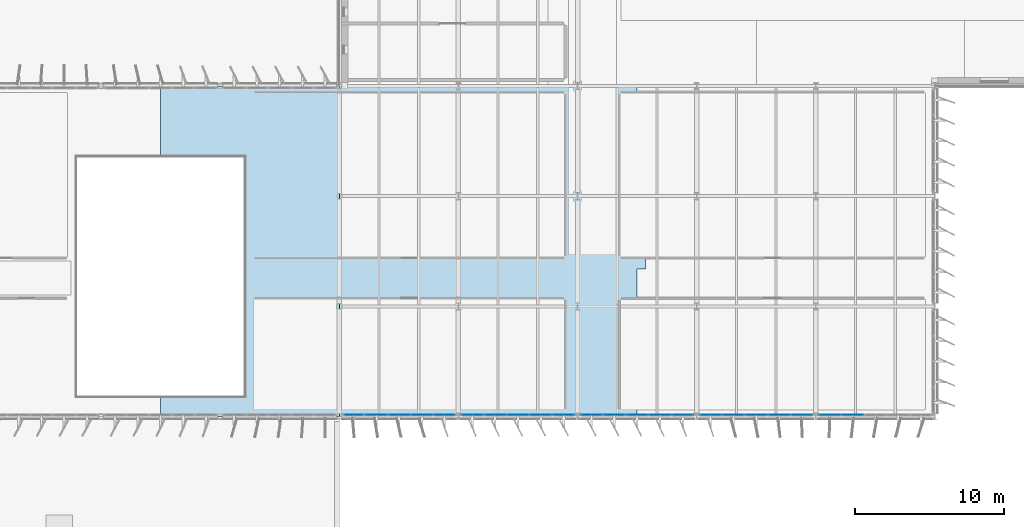
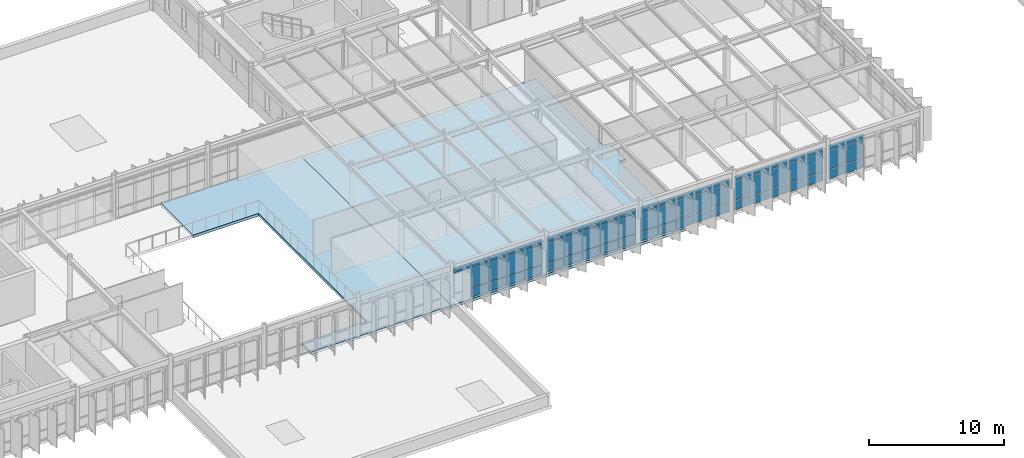
# One storey, part 32 of 56: 64 plates, 2 slabs, 5 elements without a shape of their own.
"""IFC4 building model written with IfcOpenShell, lengths in metres."""

from ifc_helpers import new_model, si_unit, direction, frame, origin, origin_2d, place, context, subcontext, project, spatial, polyline, rectangle, outline, extrude, material, layer, layer_set, type_object, element, aggregate, save


model = new_model("IFC4")

# Units and contexts
model_context = context("Model", 3, precision=1e-05, world=origin(), true_north=direction((0.0, 1.0)))
body_context = subcontext(model_context, "Body", "Model", "MODEL_VIEW")
ifc_project = project(units=[si_unit("LENGTHUNIT", "METRE"), si_unit("AREAUNIT", "SQUARE_METRE"), si_unit("VOLUMEUNIT", "CUBIC_METRE"), si_unit("PLANEANGLEUNIT", "RADIAN"), si_unit("MASSUNIT", "GRAM", prefix="KILO")], contexts=[model_context])

# Site, building, storey
site_placement = place(None, origin())
site = spatial("IfcSite", under=ifc_project, at=site_placement, CompositionType="ELEMENT")
building_placement = place(site_placement, origin())
building = spatial("IfcBuilding", under=site, at=building_placement, Name="Valkorina Park Police Headquarters", CompositionType="ELEMENT")
storey_placement = place(building_placement, frame((0.0, 0.0, 14.10009765625)))
storey = spatial("IfcBuildingStorey", under=building, at=storey_placement, Name="L04", CompositionType="ELEMENT", Elevation=14.10009765625)

# Curtain wall, plates
ifc_material_1 = material(Name="Thermally broken aluminium AW-6060", Category="aluminium")
ifc_layer_1 = layer(ifc_material_1, 0.18994140625)
ifc_layer_set_1 = layer_set([ifc_layer_1], Name="Thermally broken aluminium AW-6060")
curtain_wall_type_1 = type_object("IfcCurtainWallType", Name="CW-V5-7680x3170", PredefinedType="NOTDEFINED", material=ifc_layer_set_1)
curtain_wall_1_placement = place(storey_placement, origin())
curtain_wall_1 = element("IfcCurtainWall", 1, at=curtain_wall_1_placement, inside=storey, type_object=curtain_wall_type_1, Name="L04 Unitised Curtain Wall 043", PredefinedType="NOTDEFINED")
ifc_layer_2 = layer(ifc_material_1, 0.050048828125)
ifc_layer_set_2 = layer_set([ifc_layer_2], Name="Thermally broken aluminium AW-6060")
plate_type_1 = type_object("IfcPlateType", Name="PL-CWP-SPANDREL-50", PredefinedType="CURTAIN_PANEL", material=ifc_layer_set_2)
plate_1_placement = place(storey_placement, frame((115.263916015625, 37.1201171875, 0.06982421875), z_axis=(0.0, 0.0, 1.0), x_axis=(-1.0, 0.0, 0.0)))
plate_1 = element("IfcPlate", 2, at=plate_1_placement, type_object=plate_type_1, Name="CW-V5-768-317 panel 4.1", PredefinedType="CURTAIN_PANEL", context=body_context, shape_type="SweptSolid", body=[
    extrude(rectangle(XDim=1.466064453125, YDim=0.028076171875, at=origin_2d()), origin(), (0.0, 0.0, 1.0), 0.794921875),
])
plate_2_placement = place(storey_placement, frame((113.74560546875, 37.1201171875, 0.06982421875), z_axis=(0.0, 0.0, 1.0), x_axis=(-1.0, 0.0, 0.0)))
plate_2 = element("IfcPlate", 3, at=plate_2_placement, type_object=plate_type_1, Name="CW-V5-768-317 panel 5.1", PredefinedType="CURTAIN_PANEL", context=body_context, shape_type="SweptSolid", body=[
    extrude(rectangle(XDim=1.430908203125, YDim=0.028076171875, at=origin_2d()), origin(), (0.0, 0.0, 1.0), 0.794921875),
])

curtain_wall_2_placement = place(storey_placement, origin())
curtain_wall_2 = element("IfcCurtainWall", 4, at=curtain_wall_2_placement, inside=storey, type_object=curtain_wall_type_1, Name="L04 Unitised Curtain Wall 044", PredefinedType="NOTDEFINED")
plate_3_placement = place(storey_placement, frame((111.8544921875, 37.1201171875, 0.06982421875), z_axis=(0.0, 0.0, 1.0), x_axis=(-1.0, 0.0, 0.0)))
plate_3 = element("IfcPlate", 5, at=plate_3_placement, type_object=plate_type_1, Name="CW-V5-768-317 panel 1.1", PredefinedType="CURTAIN_PANEL", context=body_context, shape_type="SweptSolid", body=[
    extrude(rectangle(XDim=1.430908203125, YDim=0.028076171875, at=origin_2d()), origin(), (0.0, 0.0, 1.0), 0.794921875),
])
plate_4_placement = place(storey_placement, frame((110.3359375, 37.1201171875, 0.06982421875), z_axis=(0.0, 0.0, 1.0), x_axis=(-1.0, 0.0, 0.0)))
plate_4 = element("IfcPlate", 6, at=plate_4_placement, type_object=plate_type_1, Name="CW-V5-768-317 panel 2.1", PredefinedType="CURTAIN_PANEL", context=body_context, shape_type="SweptSolid", body=[
    extrude(rectangle(XDim=1.466064453125, YDim=0.028076171875, at=origin_2d()), origin(), (0.0, 0.0, 1.0), 0.794921875),
])
plate_5_placement = place(storey_placement, frame((108.800048828125, 37.1201171875, 0.06982421875), z_axis=(0.0, 0.0, 1.0), x_axis=(-1.0, 0.0, 0.0)))
plate_5 = element("IfcPlate", 7, at=plate_5_placement, type_object=plate_type_1, Name="CW-V5-768-317 panel 3.1", PredefinedType="CURTAIN_PANEL", context=body_context, shape_type="SweptSolid", body=[
    extrude(rectangle(XDim=1.466064453125, YDim=0.028076171875, at=origin_2d()), origin(), (0.0, 0.0, 1.0), 0.794921875),
])
plate_6_placement = place(storey_placement, frame((107.263916015625, 37.1201171875, 0.06982421875), z_axis=(0.0, 0.0, 1.0), x_axis=(-1.0, 0.0, 0.0)))
plate_6 = element("IfcPlate", 8, at=plate_6_placement, type_object=plate_type_1, Name="CW-V5-768-317 panel 4.1", PredefinedType="CURTAIN_PANEL", context=body_context, shape_type="SweptSolid", body=[
    extrude(rectangle(XDim=1.466064453125, YDim=0.028076171875, at=origin_2d()), origin(), (0.0, 0.0, 1.0), 0.794921875),
])
plate_7_placement = place(storey_placement, frame((105.74560546875, 37.1201171875, 0.06982421875), z_axis=(0.0, 0.0, 1.0), x_axis=(-1.0, 0.0, 0.0)))
plate_7 = element("IfcPlate", 9, at=plate_7_placement, type_object=plate_type_1, Name="CW-V5-768-317 panel 5.1", PredefinedType="CURTAIN_PANEL", context=body_context, shape_type="SweptSolid", body=[
    extrude(rectangle(XDim=1.430908203125, YDim=0.028076171875, at=origin_2d()), origin(), (0.0, 0.0, 1.0), 0.794921875),
])

curtain_wall_3_placement = place(storey_placement, origin())
curtain_wall_3 = element("IfcCurtainWall", 10, at=curtain_wall_3_placement, inside=storey, type_object=curtain_wall_type_1, Name="L04 Unitised Curtain Wall 045", PredefinedType="NOTDEFINED")
plate_8_placement = place(storey_placement, frame((103.8544921875, 37.1201171875, 0.06982421875), z_axis=(0.0, 0.0, 1.0), x_axis=(-1.0, 0.0, 0.0)))
plate_8 = element("IfcPlate", 11, at=plate_8_placement, type_object=plate_type_1, Name="CW-V5-768-317 panel 1.1", PredefinedType="CURTAIN_PANEL", context=body_context, shape_type="SweptSolid", body=[
    extrude(rectangle(XDim=1.430908203125, YDim=0.028076171875, at=origin_2d()), origin(), (0.0, 0.0, 1.0), 0.794921875),
])
plate_9_placement = place(storey_placement, frame((102.3359375, 37.1201171875, 0.06982421875), z_axis=(0.0, 0.0, 1.0), x_axis=(-1.0, 0.0, 0.0)))
plate_9 = element("IfcPlate", 12, at=plate_9_placement, type_object=plate_type_1, Name="CW-V5-768-317 panel 2.1", PredefinedType="CURTAIN_PANEL", context=body_context, shape_type="SweptSolid", body=[
    extrude(rectangle(XDim=1.466064453125, YDim=0.028076171875, at=origin_2d()), origin(), (0.0, 0.0, 1.0), 0.794921875),
])
plate_10_placement = place(storey_placement, frame((100.800048828125, 37.1201171875, 0.06982421875), z_axis=(0.0, 0.0, 1.0), x_axis=(-1.0, 0.0, 0.0)))
plate_10 = element("IfcPlate", 13, at=plate_10_placement, type_object=plate_type_1, Name="CW-V5-768-317 panel 3.1", PredefinedType="CURTAIN_PANEL", context=body_context, shape_type="SweptSolid", body=[
    extrude(rectangle(XDim=1.466064453125, YDim=0.028076171875, at=origin_2d()), origin(), (0.0, 0.0, 1.0), 0.794921875),
])
plate_11_placement = place(storey_placement, frame((99.263916015625, 37.1201171875, 0.06982421875), z_axis=(0.0, 0.0, 1.0), x_axis=(-1.0, 0.0, 0.0)))
plate_11 = element("IfcPlate", 14, at=plate_11_placement, type_object=plate_type_1, Name="CW-V5-768-317 panel 4.1", PredefinedType="CURTAIN_PANEL", context=body_context, shape_type="SweptSolid", body=[
    extrude(rectangle(XDim=1.466064453125, YDim=0.028076171875, at=origin_2d()), origin(), (0.0, 0.0, 1.0), 0.794921875),
])
plate_12_placement = place(storey_placement, frame((97.74560546875, 37.1201171875, 0.06982421875), z_axis=(0.0, 0.0, 1.0), x_axis=(-1.0, 0.0, 0.0)))
plate_12 = element("IfcPlate", 15, at=plate_12_placement, type_object=plate_type_1, Name="CW-V5-768-317 panel 5.1", PredefinedType="CURTAIN_PANEL", context=body_context, shape_type="SweptSolid", body=[
    extrude(rectangle(XDim=1.430908203125, YDim=0.028076171875, at=origin_2d()), origin(), (0.0, 0.0, 1.0), 0.794921875),
])

ifc_layer_3 = layer(ifc_material_1, 0.18994140625)
ifc_layer_set_3 = layer_set([ifc_layer_3], Name="Thermally broken aluminium AW-6060")
curtain_wall_type_2 = type_object("IfcCurtainWallType", Name="CW-V5-7680x3260", PredefinedType="NOTDEFINED", material=ifc_layer_set_3)
curtain_wall_4_placement = place(storey_placement, origin())
curtain_wall_4 = element("IfcCurtainWall", 16, at=curtain_wall_4_placement, inside=storey, type_object=curtain_wall_type_2, Name="L04 Unitised Curtain Wall 046", PredefinedType="NOTDEFINED")
plate_13_placement = place(storey_placement, frame((95.8544921875, 37.1201171875, 0.06982421875), z_axis=(0.0, 0.0, 1.0), x_axis=(-1.0, 0.0, 0.0)))
plate_13 = element("IfcPlate", 17, at=plate_13_placement, type_object=plate_type_1, Name="CW-V5-768-326 panel 1.1", PredefinedType="CURTAIN_PANEL", context=body_context, shape_type="SweptSolid", body=[
    extrude(rectangle(XDim=1.430908203125, YDim=0.028076171875, at=origin_2d()), origin(), (0.0, 0.0, 1.0), 0.794921875),
])
plate_14_placement = place(storey_placement, frame((94.3359375, 37.1201171875, 0.06982421875), z_axis=(0.0, 0.0, 1.0), x_axis=(-1.0, 0.0, 0.0)))
plate_14 = element("IfcPlate", 18, at=plate_14_placement, type_object=plate_type_1, Name="CW-V5-768-326 panel 2.1", PredefinedType="CURTAIN_PANEL", context=body_context, shape_type="SweptSolid", body=[
    extrude(rectangle(XDim=1.466064453125, YDim=0.028076171875, at=origin_2d()), origin(), (0.0, 0.0, 1.0), 0.794921875),
])
plate_15_placement = place(storey_placement, frame((92.800048828125, 37.1201171875, 0.06982421875), z_axis=(0.0, 0.0, 1.0), x_axis=(-1.0, 0.0, 0.0)))
plate_15 = element("IfcPlate", 19, at=plate_15_placement, type_object=plate_type_1, Name="CW-V5-768-326 panel 3.1", PredefinedType="CURTAIN_PANEL", context=body_context, shape_type="SweptSolid", body=[
    extrude(rectangle(XDim=1.466064453125, YDim=0.028076171875, at=origin_2d()), origin(), (0.0, 0.0, 1.0), 0.794921875),
])
plate_16_placement = place(storey_placement, frame((91.263916015625, 37.1201171875, 0.06982421875), z_axis=(0.0, 0.0, 1.0), x_axis=(-1.0, 0.0, 0.0)))
plate_16 = element("IfcPlate", 20, at=plate_16_placement, type_object=plate_type_1, Name="CW-V5-768-326 panel 4.1", PredefinedType="CURTAIN_PANEL", context=body_context, shape_type="SweptSolid", body=[
    extrude(rectangle(XDim=1.466064453125, YDim=0.028076171875, at=origin_2d()), origin(), (0.0, 0.0, 1.0), 0.794921875),
])
plate_17_placement = place(storey_placement, frame((89.74560546875, 37.1201171875, 0.06982421875), z_axis=(0.0, 0.0, 1.0), x_axis=(-1.0, 0.0, 0.0)))
plate_17 = element("IfcPlate", 21, at=plate_17_placement, type_object=plate_type_1, Name="CW-V5-768-326 panel 5.1", PredefinedType="CURTAIN_PANEL", context=body_context, shape_type="SweptSolid", body=[
    extrude(rectangle(XDim=1.430908203125, YDim=0.028076171875, at=origin_2d()), origin(), (0.0, 0.0, 1.0), 0.794921875),
])

ifc_layer_4 = layer(ifc_material_1, 0.18994140625)
ifc_layer_set_4 = layer_set([ifc_layer_4], Name="Thermally broken aluminium AW-6060")
curtain_wall_type_3 = type_object("IfcCurtainWallType", Name="CW-V5-7650x3260", PredefinedType="NOTDEFINED", material=ifc_layer_set_4)
curtain_wall_5_placement = place(storey_placement, origin())
curtain_wall_5 = element("IfcCurtainWall", 22, at=curtain_wall_5_placement, inside=storey, type_object=curtain_wall_type_3, Name="L04 Unitised Curtain Wall 047", PredefinedType="NOTDEFINED")
plate_18_placement = place(storey_placement, frame((87.857177734375, 37.1201171875, 0.06982421875), z_axis=(0.0, 0.0, 1.0), x_axis=(-1.0, 0.0, 0.0)))
plate_18 = element("IfcPlate", 23, at=plate_18_placement, type_object=plate_type_1, Name="CW-V5-765-326 panel 1.1", PredefinedType="CURTAIN_PANEL", context=body_context, shape_type="SweptSolid", body=[
    extrude(rectangle(XDim=1.425537109375, YDim=0.028076171875, at=origin_2d()), origin(), (0.0, 0.0, 1.0), 0.794921875),
])
plate_19_placement = place(storey_placement, frame((86.34423828125, 37.1201171875, 0.06982421875), z_axis=(0.0, 0.0, 1.0), x_axis=(-1.0, 0.0, 0.0)))
plate_19 = element("IfcPlate", 24, at=plate_19_placement, type_object=plate_type_1, Name="CW-V5-765-326 panel 2.1", PredefinedType="CURTAIN_PANEL", context=body_context, shape_type="SweptSolid", body=[
    extrude(rectangle(XDim=1.46044921875, YDim=0.028076171875, at=origin_2d()), origin(), (0.0, 0.0, 1.0), 0.794921875),
])
plate_20_placement = place(storey_placement, frame((84.81396484375, 37.1201171875, 0.06982421875), z_axis=(0.0, 0.0, 1.0), x_axis=(-1.0, 0.0, 0.0)))
plate_20 = element("IfcPlate", 25, at=plate_20_placement, type_object=plate_type_1, Name="CW-V5-765-326 panel 3.1", PredefinedType="CURTAIN_PANEL", context=body_context, shape_type="SweptSolid", body=[
    extrude(rectangle(XDim=1.46044921875, YDim=0.028076171875, at=origin_2d()), origin(), (0.0, 0.0, 1.0), 0.794921875),
])
plate_21_placement = place(storey_placement, frame((83.283447265625, 37.1201171875, 0.06982421875), z_axis=(0.0, 0.0, 1.0), x_axis=(-1.0, 0.0, 0.0)))
plate_21 = element("IfcPlate", 26, at=plate_21_placement, type_object=plate_type_1, Name="CW-V5-765-326 panel 4.1", PredefinedType="CURTAIN_PANEL", context=body_context, shape_type="SweptSolid", body=[
    extrude(rectangle(XDim=1.46044921875, YDim=0.028076171875, at=origin_2d()), origin(), (0.0, 0.0, 1.0), 0.794921875),
])

# Plate
ifc_material_2 = material(Name="Triple low-E insulated glazing", Category="glass")
ifc_layer_5 = layer(ifc_material_2, 0.028076171875)
ifc_layer_set_5 = layer_set([ifc_layer_5], Name="Triple low-E insulated glazing")
plate_type_2 = type_object("IfcPlateType", Name="PL-CWP-VISION-28", PredefinedType="CURTAIN_PANEL", material=ifc_layer_set_5)
plate_22_placement = place(storey_placement, frame((115.263916015625, 37.1201171875, 0.93505859375), z_axis=(0.0, 0.0, 1.0), x_axis=(-1.0, 0.0, 0.0)))
plate_22 = element("IfcPlate", 27, at=plate_22_placement, type_object=plate_type_2, Name="CW-V5-768-317 panel 4.2", PredefinedType="CURTAIN_PANEL", context=body_context, shape_type="SweptSolid", body=[
    extrude(rectangle(XDim=1.466064453125, YDim=0.028076171875, at=origin_2d()), origin(), (0.0, 0.0, 1.0), 1.679931640625),
])

plate_23_placement = place(storey_placement, frame((115.263916015625, 37.1201171875, 2.684814453125), z_axis=(0.0, 0.0, 1.0), x_axis=(-1.0, 0.0, 0.0)))
plate_23 = element("IfcPlate", 28, at=plate_23_placement, type_object=plate_type_2, Name="CW-V5-768-317 panel 4.3", PredefinedType="CURTAIN_PANEL", context=body_context, shape_type="SweptSolid", body=[
    extrude(rectangle(XDim=1.466064453125, YDim=0.028076171875, at=origin_2d()), origin(), (0.0, 0.0, 1.0), 0.4150390625),
])

plate_24_placement = place(storey_placement, frame((113.74560546875, 37.1201171875, 0.93505859375), z_axis=(0.0, 0.0, 1.0), x_axis=(-1.0, 0.0, 0.0)))
plate_24 = element("IfcPlate", 29, at=plate_24_placement, type_object=plate_type_2, Name="CW-V5-768-317 panel 5.2", PredefinedType="CURTAIN_PANEL", context=body_context, shape_type="SweptSolid", body=[
    extrude(rectangle(XDim=1.430908203125, YDim=0.028076171875, at=origin_2d()), origin(), (0.0, 0.0, 1.0), 1.679931640625),
])

plate_25_placement = place(storey_placement, frame((113.74560546875, 37.1201171875, 2.684814453125), z_axis=(0.0, 0.0, 1.0), x_axis=(-1.0, 0.0, 0.0)))
plate_25 = element("IfcPlate", 30, at=plate_25_placement, type_object=plate_type_2, Name="CW-V5-768-317 panel 5.3", PredefinedType="CURTAIN_PANEL", context=body_context, shape_type="SweptSolid", body=[
    extrude(rectangle(XDim=1.430908203125, YDim=0.028076171875, at=origin_2d()), origin(), (0.0, 0.0, 1.0), 0.4150390625),
])

aggregate(curtain_wall_1, [plate_1, plate_22, plate_23, plate_2, plate_24, plate_25])

plate_26_placement = place(storey_placement, frame((111.8544921875, 37.1201171875, 0.93505859375), z_axis=(0.0, 0.0, 1.0), x_axis=(-1.0, 0.0, 0.0)))
plate_26 = element("IfcPlate", 31, at=plate_26_placement, type_object=plate_type_2, Name="CW-V5-768-317 panel 1.2", PredefinedType="CURTAIN_PANEL", context=body_context, shape_type="SweptSolid", body=[
    extrude(rectangle(XDim=1.430908203125, YDim=0.028076171875, at=origin_2d()), origin(), (0.0, 0.0, 1.0), 1.679931640625),
])

plate_27_placement = place(storey_placement, frame((111.8544921875, 37.1201171875, 2.684814453125), z_axis=(0.0, 0.0, 1.0), x_axis=(-1.0, 0.0, 0.0)))
plate_27 = element("IfcPlate", 32, at=plate_27_placement, type_object=plate_type_2, Name="CW-V5-768-317 panel 1.3", PredefinedType="CURTAIN_PANEL", context=body_context, shape_type="SweptSolid", body=[
    extrude(rectangle(XDim=1.430908203125, YDim=0.028076171875, at=origin_2d()), origin(), (0.0, 0.0, 1.0), 0.4150390625),
])

plate_28_placement = place(storey_placement, frame((110.3359375, 37.1201171875, 0.93505859375), z_axis=(0.0, 0.0, 1.0), x_axis=(-1.0, 0.0, 0.0)))
plate_28 = element("IfcPlate", 33, at=plate_28_placement, type_object=plate_type_2, Name="CW-V5-768-317 panel 2.2", PredefinedType="CURTAIN_PANEL", context=body_context, shape_type="SweptSolid", body=[
    extrude(rectangle(XDim=1.466064453125, YDim=0.028076171875, at=origin_2d()), origin(), (0.0, 0.0, 1.0), 1.679931640625),
])

plate_29_placement = place(storey_placement, frame((110.3359375, 37.1201171875, 2.684814453125), z_axis=(0.0, 0.0, 1.0), x_axis=(-1.0, 0.0, 0.0)))
plate_29 = element("IfcPlate", 34, at=plate_29_placement, type_object=plate_type_2, Name="CW-V5-768-317 panel 2.3", PredefinedType="CURTAIN_PANEL", context=body_context, shape_type="SweptSolid", body=[
    extrude(rectangle(XDim=1.466064453125, YDim=0.028076171875, at=origin_2d()), origin(), (0.0, 0.0, 1.0), 0.4150390625),
])

plate_30_placement = place(storey_placement, frame((108.800048828125, 37.1201171875, 0.93505859375), z_axis=(0.0, 0.0, 1.0), x_axis=(-1.0, 0.0, 0.0)))
plate_30 = element("IfcPlate", 35, at=plate_30_placement, type_object=plate_type_2, Name="CW-V5-768-317 panel 3.2", PredefinedType="CURTAIN_PANEL", context=body_context, shape_type="SweptSolid", body=[
    extrude(rectangle(XDim=1.466064453125, YDim=0.028076171875, at=origin_2d()), origin(), (0.0, 0.0, 1.0), 1.679931640625),
])

plate_31_placement = place(storey_placement, frame((108.800048828125, 37.1201171875, 2.684814453125), z_axis=(0.0, 0.0, 1.0), x_axis=(-1.0, 0.0, 0.0)))
plate_31 = element("IfcPlate", 36, at=plate_31_placement, type_object=plate_type_2, Name="CW-V5-768-317 panel 3.3", PredefinedType="CURTAIN_PANEL", context=body_context, shape_type="SweptSolid", body=[
    extrude(rectangle(XDim=1.466064453125, YDim=0.028076171875, at=origin_2d()), origin(), (0.0, 0.0, 1.0), 0.4150390625),
])

plate_32_placement = place(storey_placement, frame((107.263916015625, 37.1201171875, 0.93505859375), z_axis=(0.0, 0.0, 1.0), x_axis=(-1.0, 0.0, 0.0)))
plate_32 = element("IfcPlate", 37, at=plate_32_placement, type_object=plate_type_2, Name="CW-V5-768-317 panel 4.2", PredefinedType="CURTAIN_PANEL", context=body_context, shape_type="SweptSolid", body=[
    extrude(rectangle(XDim=1.466064453125, YDim=0.028076171875, at=origin_2d()), origin(), (0.0, 0.0, 1.0), 1.679931640625),
])

plate_33_placement = place(storey_placement, frame((107.263916015625, 37.1201171875, 2.684814453125), z_axis=(0.0, 0.0, 1.0), x_axis=(-1.0, 0.0, 0.0)))
plate_33 = element("IfcPlate", 38, at=plate_33_placement, type_object=plate_type_2, Name="CW-V5-768-317 panel 4.3", PredefinedType="CURTAIN_PANEL", context=body_context, shape_type="SweptSolid", body=[
    extrude(rectangle(XDim=1.466064453125, YDim=0.028076171875, at=origin_2d()), origin(), (0.0, 0.0, 1.0), 0.4150390625),
])

plate_34_placement = place(storey_placement, frame((105.74560546875, 37.1201171875, 0.93505859375), z_axis=(0.0, 0.0, 1.0), x_axis=(-1.0, 0.0, 0.0)))
plate_34 = element("IfcPlate", 39, at=plate_34_placement, type_object=plate_type_2, Name="CW-V5-768-317 panel 5.2", PredefinedType="CURTAIN_PANEL", context=body_context, shape_type="SweptSolid", body=[
    extrude(rectangle(XDim=1.430908203125, YDim=0.028076171875, at=origin_2d()), origin(), (0.0, 0.0, 1.0), 1.679931640625),
])

plate_35_placement = place(storey_placement, frame((105.74560546875, 37.1201171875, 2.684814453125), z_axis=(0.0, 0.0, 1.0), x_axis=(-1.0, 0.0, 0.0)))
plate_35 = element("IfcPlate", 40, at=plate_35_placement, type_object=plate_type_2, Name="CW-V5-768-317 panel 5.3", PredefinedType="CURTAIN_PANEL", context=body_context, shape_type="SweptSolid", body=[
    extrude(rectangle(XDim=1.430908203125, YDim=0.028076171875, at=origin_2d()), origin(), (0.0, 0.0, 1.0), 0.4150390625),
])

aggregate(curtain_wall_2, [plate_3, plate_26, plate_27, plate_4, plate_28, plate_29, plate_5, plate_30, plate_31, plate_6, plate_32, plate_33, plate_7, plate_34, plate_35])

plate_36_placement = place(storey_placement, frame((103.8544921875, 37.1201171875, 0.93505859375), z_axis=(0.0, 0.0, 1.0), x_axis=(-1.0, 0.0, 0.0)))
plate_36 = element("IfcPlate", 41, at=plate_36_placement, type_object=plate_type_2, Name="CW-V5-768-317 panel 1.2", PredefinedType="CURTAIN_PANEL", context=body_context, shape_type="SweptSolid", body=[
    extrude(rectangle(XDim=1.430908203125, YDim=0.028076171875, at=origin_2d()), origin(), (0.0, 0.0, 1.0), 1.679931640625),
])

plate_37_placement = place(storey_placement, frame((103.8544921875, 37.1201171875, 2.684814453125), z_axis=(0.0, 0.0, 1.0), x_axis=(-1.0, 0.0, 0.0)))
plate_37 = element("IfcPlate", 42, at=plate_37_placement, type_object=plate_type_2, Name="CW-V5-768-317 panel 1.3", PredefinedType="CURTAIN_PANEL", context=body_context, shape_type="SweptSolid", body=[
    extrude(rectangle(XDim=1.430908203125, YDim=0.028076171875, at=origin_2d()), origin(), (0.0, 0.0, 1.0), 0.4150390625),
])

plate_38_placement = place(storey_placement, frame((102.3359375, 37.1201171875, 0.93505859375), z_axis=(0.0, 0.0, 1.0), x_axis=(-1.0, 0.0, 0.0)))
plate_38 = element("IfcPlate", 43, at=plate_38_placement, type_object=plate_type_2, Name="CW-V5-768-317 panel 2.2", PredefinedType="CURTAIN_PANEL", context=body_context, shape_type="SweptSolid", body=[
    extrude(rectangle(XDim=1.466064453125, YDim=0.028076171875, at=origin_2d()), origin(), (0.0, 0.0, 1.0), 1.679931640625),
])

plate_39_placement = place(storey_placement, frame((102.3359375, 37.1201171875, 2.684814453125), z_axis=(0.0, 0.0, 1.0), x_axis=(-1.0, 0.0, 0.0)))
plate_39 = element("IfcPlate", 44, at=plate_39_placement, type_object=plate_type_2, Name="CW-V5-768-317 panel 2.3", PredefinedType="CURTAIN_PANEL", context=body_context, shape_type="SweptSolid", body=[
    extrude(rectangle(XDim=1.466064453125, YDim=0.028076171875, at=origin_2d()), origin(), (0.0, 0.0, 1.0), 0.4150390625),
])

plate_40_placement = place(storey_placement, frame((100.800048828125, 37.1201171875, 0.93505859375), z_axis=(0.0, 0.0, 1.0), x_axis=(-1.0, 0.0, 0.0)))
plate_40 = element("IfcPlate", 45, at=plate_40_placement, type_object=plate_type_2, Name="CW-V5-768-317 panel 3.2", PredefinedType="CURTAIN_PANEL", context=body_context, shape_type="SweptSolid", body=[
    extrude(rectangle(XDim=1.466064453125, YDim=0.028076171875, at=origin_2d()), origin(), (0.0, 0.0, 1.0), 1.679931640625),
])

plate_41_placement = place(storey_placement, frame((100.800048828125, 37.1201171875, 2.684814453125), z_axis=(0.0, 0.0, 1.0), x_axis=(-1.0, 0.0, 0.0)))
plate_41 = element("IfcPlate", 46, at=plate_41_placement, type_object=plate_type_2, Name="CW-V5-768-317 panel 3.3", PredefinedType="CURTAIN_PANEL", context=body_context, shape_type="SweptSolid", body=[
    extrude(rectangle(XDim=1.466064453125, YDim=0.028076171875, at=origin_2d()), origin(), (0.0, 0.0, 1.0), 0.4150390625),
])

plate_42_placement = place(storey_placement, frame((99.263916015625, 37.1201171875, 0.93505859375), z_axis=(0.0, 0.0, 1.0), x_axis=(-1.0, 0.0, 0.0)))
plate_42 = element("IfcPlate", 47, at=plate_42_placement, type_object=plate_type_2, Name="CW-V5-768-317 panel 4.2", PredefinedType="CURTAIN_PANEL", context=body_context, shape_type="SweptSolid", body=[
    extrude(rectangle(XDim=1.466064453125, YDim=0.028076171875, at=origin_2d()), origin(), (0.0, 0.0, 1.0), 1.679931640625),
])

plate_43_placement = place(storey_placement, frame((99.263916015625, 37.1201171875, 2.684814453125), z_axis=(0.0, 0.0, 1.0), x_axis=(-1.0, 0.0, 0.0)))
plate_43 = element("IfcPlate", 48, at=plate_43_placement, type_object=plate_type_2, Name="CW-V5-768-317 panel 4.3", PredefinedType="CURTAIN_PANEL", context=body_context, shape_type="SweptSolid", body=[
    extrude(rectangle(XDim=1.466064453125, YDim=0.028076171875, at=origin_2d()), origin(), (0.0, 0.0, 1.0), 0.4150390625),
])

plate_44_placement = place(storey_placement, frame((97.74560546875, 37.1201171875, 0.93505859375), z_axis=(0.0, 0.0, 1.0), x_axis=(-1.0, 0.0, 0.0)))
plate_44 = element("IfcPlate", 49, at=plate_44_placement, type_object=plate_type_2, Name="CW-V5-768-317 panel 5.2", PredefinedType="CURTAIN_PANEL", context=body_context, shape_type="SweptSolid", body=[
    extrude(rectangle(XDim=1.430908203125, YDim=0.028076171875, at=origin_2d()), origin(), (0.0, 0.0, 1.0), 1.679931640625),
])

plate_45_placement = place(storey_placement, frame((97.74560546875, 37.1201171875, 2.684814453125), z_axis=(0.0, 0.0, 1.0), x_axis=(-1.0, 0.0, 0.0)))
plate_45 = element("IfcPlate", 50, at=plate_45_placement, type_object=plate_type_2, Name="CW-V5-768-317 panel 5.3", PredefinedType="CURTAIN_PANEL", context=body_context, shape_type="SweptSolid", body=[
    extrude(rectangle(XDim=1.430908203125, YDim=0.028076171875, at=origin_2d()), origin(), (0.0, 0.0, 1.0), 0.4150390625),
])

aggregate(curtain_wall_3, [plate_8, plate_36, plate_37, plate_9, plate_38, plate_39, plate_10, plate_40, plate_41, plate_11, plate_42, plate_43, plate_12, plate_44, plate_45])

plate_46_placement = place(storey_placement, frame((95.8544921875, 37.1201171875, 0.93505859375), z_axis=(0.0, 0.0, 1.0), x_axis=(-1.0, 0.0, 0.0)))
plate_46 = element("IfcPlate", 51, at=plate_46_placement, type_object=plate_type_2, Name="CW-V5-768-326 panel 1.2", PredefinedType="CURTAIN_PANEL", context=body_context, shape_type="SweptSolid", body=[
    extrude(rectangle(XDim=1.430908203125, YDim=0.028076171875, at=origin_2d()), origin(), (0.0, 0.0, 1.0), 1.764892578125),
])

plate_47_placement = place(storey_placement, frame((95.8544921875, 37.1201171875, 2.769775390625), z_axis=(0.0, 0.0, 1.0), x_axis=(-1.0, 0.0, 0.0)))
plate_47 = element("IfcPlate", 52, at=plate_47_placement, type_object=plate_type_2, Name="CW-V5-768-326 panel 1.3", PredefinedType="CURTAIN_PANEL", context=body_context, shape_type="SweptSolid", body=[
    extrude(rectangle(XDim=1.430908203125, YDim=0.028076171875, at=origin_2d()), origin(), (0.0, 0.0, 1.0), 0.4150390625),
])

plate_48_placement = place(storey_placement, frame((94.3359375, 37.1201171875, 0.93505859375), z_axis=(0.0, 0.0, 1.0), x_axis=(-1.0, 0.0, 0.0)))
plate_48 = element("IfcPlate", 53, at=plate_48_placement, type_object=plate_type_2, Name="CW-V5-768-326 panel 2.2", PredefinedType="CURTAIN_PANEL", context=body_context, shape_type="SweptSolid", body=[
    extrude(rectangle(XDim=1.466064453125, YDim=0.028076171875, at=origin_2d()), origin(), (0.0, 0.0, 1.0), 1.764892578125),
])

plate_49_placement = place(storey_placement, frame((94.3359375, 37.1201171875, 2.769775390625), z_axis=(0.0, 0.0, 1.0), x_axis=(-1.0, 0.0, 0.0)))
plate_49 = element("IfcPlate", 54, at=plate_49_placement, type_object=plate_type_2, Name="CW-V5-768-326 panel 2.3", PredefinedType="CURTAIN_PANEL", context=body_context, shape_type="SweptSolid", body=[
    extrude(rectangle(XDim=1.466064453125, YDim=0.028076171875, at=origin_2d()), origin(), (0.0, 0.0, 1.0), 0.4150390625),
])

plate_50_placement = place(storey_placement, frame((92.800048828125, 37.1201171875, 0.93505859375), z_axis=(0.0, 0.0, 1.0), x_axis=(-1.0, 0.0, 0.0)))
plate_50 = element("IfcPlate", 55, at=plate_50_placement, type_object=plate_type_2, Name="CW-V5-768-326 panel 3.2", PredefinedType="CURTAIN_PANEL", context=body_context, shape_type="SweptSolid", body=[
    extrude(rectangle(XDim=1.466064453125, YDim=0.028076171875, at=origin_2d()), origin(), (0.0, 0.0, 1.0), 1.764892578125),
])

plate_51_placement = place(storey_placement, frame((92.800048828125, 37.1201171875, 2.769775390625), z_axis=(0.0, 0.0, 1.0), x_axis=(-1.0, 0.0, 0.0)))
plate_51 = element("IfcPlate", 56, at=plate_51_placement, type_object=plate_type_2, Name="CW-V5-768-326 panel 3.3", PredefinedType="CURTAIN_PANEL", context=body_context, shape_type="SweptSolid", body=[
    extrude(rectangle(XDim=1.466064453125, YDim=0.028076171875, at=origin_2d()), origin(), (0.0, 0.0, 1.0), 0.4150390625),
])

plate_52_placement = place(storey_placement, frame((91.263916015625, 37.1201171875, 0.93505859375), z_axis=(0.0, 0.0, 1.0), x_axis=(-1.0, 0.0, 0.0)))
plate_52 = element("IfcPlate", 57, at=plate_52_placement, type_object=plate_type_2, Name="CW-V5-768-326 panel 4.2", PredefinedType="CURTAIN_PANEL", context=body_context, shape_type="SweptSolid", body=[
    extrude(rectangle(XDim=1.466064453125, YDim=0.028076171875, at=origin_2d()), origin(), (0.0, 0.0, 1.0), 1.764892578125),
])

plate_53_placement = place(storey_placement, frame((91.263916015625, 37.1201171875, 2.769775390625), z_axis=(0.0, 0.0, 1.0), x_axis=(-1.0, 0.0, 0.0)))
plate_53 = element("IfcPlate", 58, at=plate_53_placement, type_object=plate_type_2, Name="CW-V5-768-326 panel 4.3", PredefinedType="CURTAIN_PANEL", context=body_context, shape_type="SweptSolid", body=[
    extrude(rectangle(XDim=1.466064453125, YDim=0.028076171875, at=origin_2d()), origin(), (0.0, 0.0, 1.0), 0.4150390625),
])

plate_54_placement = place(storey_placement, frame((89.74560546875, 37.1201171875, 0.93505859375), z_axis=(0.0, 0.0, 1.0), x_axis=(-1.0, 0.0, 0.0)))
plate_54 = element("IfcPlate", 59, at=plate_54_placement, type_object=plate_type_2, Name="CW-V5-768-326 panel 5.2", PredefinedType="CURTAIN_PANEL", context=body_context, shape_type="SweptSolid", body=[
    extrude(rectangle(XDim=1.430908203125, YDim=0.028076171875, at=origin_2d()), origin(), (0.0, 0.0, 1.0), 1.764892578125),
])

plate_55_placement = place(storey_placement, frame((89.74560546875, 37.1201171875, 2.769775390625), z_axis=(0.0, 0.0, 1.0), x_axis=(-1.0, 0.0, 0.0)))
plate_55 = element("IfcPlate", 60, at=plate_55_placement, type_object=plate_type_2, Name="CW-V5-768-326 panel 5.3", PredefinedType="CURTAIN_PANEL", context=body_context, shape_type="SweptSolid", body=[
    extrude(rectangle(XDim=1.430908203125, YDim=0.028076171875, at=origin_2d()), origin(), (0.0, 0.0, 1.0), 0.4150390625),
])

aggregate(curtain_wall_4, [plate_13, plate_46, plate_47, plate_14, plate_48, plate_49, plate_15, plate_50, plate_51, plate_16, plate_52, plate_53, plate_17, plate_54, plate_55])

plate_56_placement = place(storey_placement, frame((87.857177734375, 37.1201171875, 0.93505859375), z_axis=(0.0, 0.0, 1.0), x_axis=(-1.0, 0.0, 0.0)))
plate_56 = element("IfcPlate", 61, at=plate_56_placement, type_object=plate_type_2, Name="CW-V5-765-326 panel 1.2", PredefinedType="CURTAIN_PANEL", context=body_context, shape_type="SweptSolid", body=[
    extrude(rectangle(XDim=1.425537109375, YDim=0.028076171875, at=origin_2d()), origin(), (0.0, 0.0, 1.0), 1.764892578125),
])

plate_57_placement = place(storey_placement, frame((87.857177734375, 37.1201171875, 2.769775390625), z_axis=(0.0, 0.0, 1.0), x_axis=(-1.0, 0.0, 0.0)))
plate_57 = element("IfcPlate", 62, at=plate_57_placement, type_object=plate_type_2, Name="CW-V5-765-326 panel 1.3", PredefinedType="CURTAIN_PANEL", context=body_context, shape_type="SweptSolid", body=[
    extrude(rectangle(XDim=1.425537109375, YDim=0.028076171875, at=origin_2d()), origin(), (0.0, 0.0, 1.0), 0.4150390625),
])

plate_58_placement = place(storey_placement, frame((86.34423828125, 37.1201171875, 0.93505859375), z_axis=(0.0, 0.0, 1.0), x_axis=(-1.0, 0.0, 0.0)))
plate_58 = element("IfcPlate", 63, at=plate_58_placement, type_object=plate_type_2, Name="CW-V5-765-326 panel 2.2", PredefinedType="CURTAIN_PANEL", context=body_context, shape_type="SweptSolid", body=[
    extrude(rectangle(XDim=1.46044921875, YDim=0.028076171875, at=origin_2d()), origin(), (0.0, 0.0, 1.0), 1.764892578125),
])

plate_59_placement = place(storey_placement, frame((86.34423828125, 37.1201171875, 2.769775390625), z_axis=(0.0, 0.0, 1.0), x_axis=(-1.0, 0.0, 0.0)))
plate_59 = element("IfcPlate", 64, at=plate_59_placement, type_object=plate_type_2, Name="CW-V5-765-326 panel 2.3", PredefinedType="CURTAIN_PANEL", context=body_context, shape_type="SweptSolid", body=[
    extrude(rectangle(XDim=1.46044921875, YDim=0.028076171875, at=origin_2d()), origin(), (0.0, 0.0, 1.0), 0.4150390625),
])

plate_60_placement = place(storey_placement, frame((84.81396484375, 37.1201171875, 0.93505859375), z_axis=(0.0, 0.0, 1.0), x_axis=(-1.0, 0.0, 0.0)))
plate_60 = element("IfcPlate", 65, at=plate_60_placement, type_object=plate_type_2, Name="CW-V5-765-326 panel 3.2", PredefinedType="CURTAIN_PANEL", context=body_context, shape_type="SweptSolid", body=[
    extrude(rectangle(XDim=1.46044921875, YDim=0.028076171875, at=origin_2d()), origin(), (0.0, 0.0, 1.0), 1.764892578125),
])

plate_61_placement = place(storey_placement, frame((84.81396484375, 37.1201171875, 2.769775390625), z_axis=(0.0, 0.0, 1.0), x_axis=(-1.0, 0.0, 0.0)))
plate_61 = element("IfcPlate", 66, at=plate_61_placement, type_object=plate_type_2, Name="CW-V5-765-326 panel 3.3", PredefinedType="CURTAIN_PANEL", context=body_context, shape_type="SweptSolid", body=[
    extrude(rectangle(XDim=1.46044921875, YDim=0.028076171875, at=origin_2d()), origin(), (0.0, 0.0, 1.0), 0.4150390625),
])

plate_62_placement = place(storey_placement, frame((83.283447265625, 37.1201171875, 0.93505859375), z_axis=(0.0, 0.0, 1.0), x_axis=(-1.0, 0.0, 0.0)))
plate_62 = element("IfcPlate", 67, at=plate_62_placement, type_object=plate_type_2, Name="CW-V5-765-326 panel 4.2", PredefinedType="CURTAIN_PANEL", context=body_context, shape_type="SweptSolid", body=[
    extrude(rectangle(XDim=1.46044921875, YDim=0.028076171875, at=origin_2d()), origin(), (0.0, 0.0, 1.0), 1.764892578125),
])

plate_63_placement = place(storey_placement, frame((83.283447265625, 37.1201171875, 2.769775390625), z_axis=(0.0, 0.0, 1.0), x_axis=(-1.0, 0.0, 0.0)))
plate_63 = element("IfcPlate", 68, at=plate_63_placement, type_object=plate_type_2, Name="CW-V5-765-326 panel 4.3", PredefinedType="CURTAIN_PANEL", context=body_context, shape_type="SweptSolid", body=[
    extrude(rectangle(XDim=1.46044921875, YDim=0.028076171875, at=origin_2d()), origin(), (0.0, 0.0, 1.0), 0.4150390625),
])

plate_64_placement = place(storey_placement, frame((81.7705078125, 37.1201171875, 2.769775390625), z_axis=(0.0, 0.0, 1.0), x_axis=(-1.0, 0.0, 0.0)))
plate_64 = element("IfcPlate", 69, at=plate_64_placement, type_object=plate_type_2, Name="CW-V5-765-326 panel 5.3", PredefinedType="CURTAIN_PANEL", context=body_context, shape_type="SweptSolid", body=[
    extrude(rectangle(XDim=1.425537109375, YDim=0.028076171875, at=origin_2d()), origin(), (0.0, 0.0, 1.0), 0.4150390625),
])

aggregate(curtain_wall_5, [plate_18, plate_56, plate_57, plate_19, plate_58, plate_59, plate_20, plate_60, plate_61, plate_21, plate_62, plate_63, plate_64])

# Slabs
ifc_material_3 = material(Name="Concrete C35/45", Category="concrete")
ifc_layer_6 = layer(ifc_material_3, 0.2451171875)
ifc_layer_set_6 = layer_set([ifc_layer_6], Name="Concrete C35/45")
slab_type = type_object("IfcSlabType", Name="SL-COMP-LAB-170", PredefinedType="FLOOR", material=ifc_layer_set_6)
slab_1_placement = place(storey_placement, frame((0.0, 0.0, -0.2451171875)))
element("IfcSlab", 70, at=slab_1_placement, inside=storey, type_object=slab_type, Name="L04 Structural Floor Slab 78", PredefinedType="FLOOR", context=body_context, shape_type="SweptSolid", body=[
    extrude(outline(polyline([(68.800048828125, 59.19189453125), (68.800048828125, 54.39990234375), (74.39990234375, 54.39990234375), (74.39990234375, 38.39990234375), (68.800048828125, 38.39990234375), (68.800048828125, 37.0), (80.800048828125, 37.0), (80.800048828125, 59.19189453125), (68.800048828125, 59.19189453125)])), origin(), (0.0, 0.0, 1.0), 0.2451171875),
])
slab_2_placement = place(storey_placement, frame((0.0, 0.0, -0.2451171875)))
element("IfcSlab", 71, at=slab_2_placement, inside=storey, type_object=slab_type, Name="L04 Structural Floor Slab 79", PredefinedType="FLOOR", context=body_context, shape_type="SweptSolid", body=[
    extrude(outline(polyline([(101.35009765625, 49.2958984375), (100.800048828125, 49.2958984375), (100.800048828125, 59.19189453125), (80.800048828125, 59.19189453125), (80.800048828125, 37.0), (100.800048828125, 37.0), (100.800048828125, 46.89599609375), (101.35009765625, 46.89599609375), (101.35009765625, 49.2958984375)])), origin(), (0.0, 0.0, 1.0), 0.2451171875),
])

save(model, "model.ifc")
